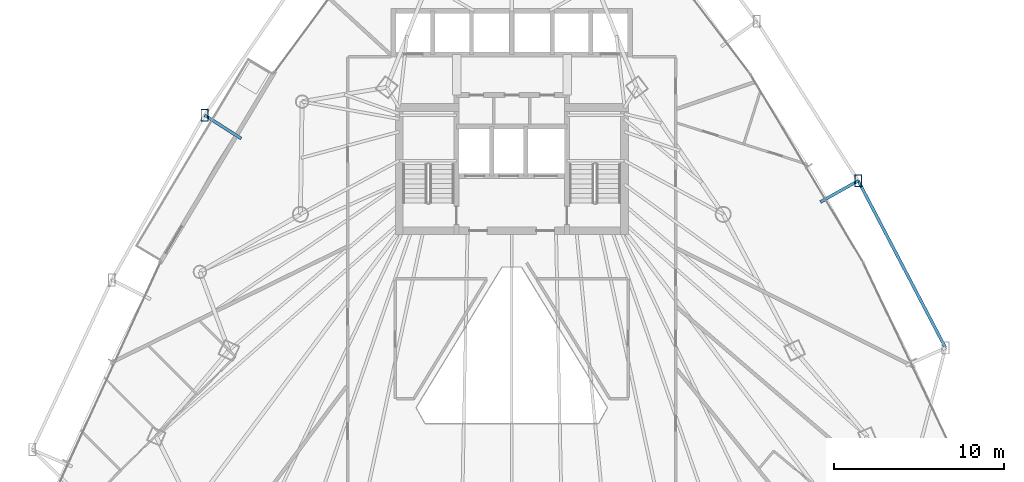
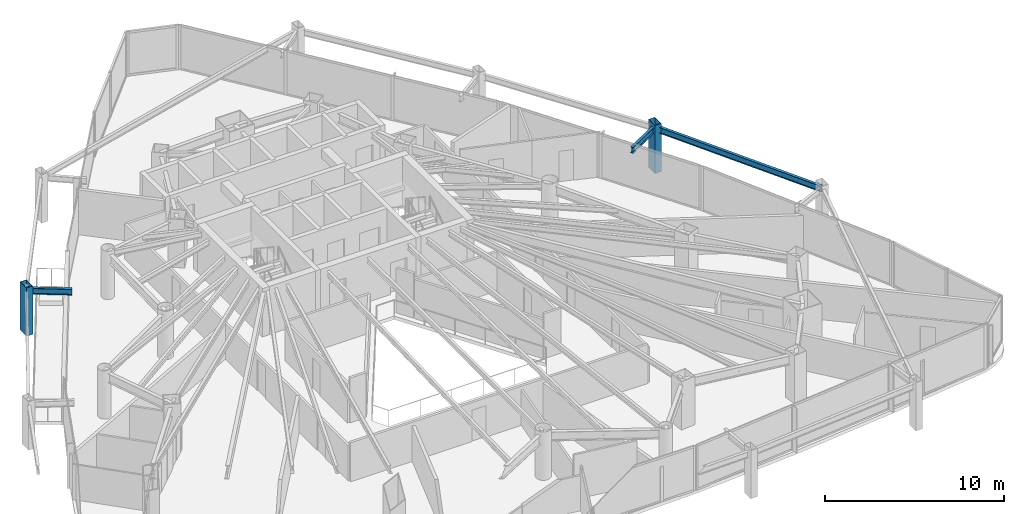
# One storey, part 20 of 35: 3 beams, 2 members.
"""IFC4 building model written with IfcOpenShell, lengths in metres."""

import ifcopenshell
import ifcopenshell.guid

model = None  # the IFC model being written
_history = None  # IfcOwnerHistory: only IFC2X3 demands one
_inside = {}  # id of a spatial element -> (the spatial element, [elements in it])
_under = {}  # id of a project, library or spatial element -> (it, [spatial elements below it])
_declared = {}  # id of a project -> (the project, [libraries it declares])
_typed = {}  # id of a type object -> (the type object, [elements of that type])
_made_of = {}  # id of a material, layer set ... -> (it, [elements and type objects made of it])


def new_model(schema):
    """Start an empty IFC model of exactly this schema.

    Asked for "IFC4X3", IfcOpenShell would pick the latest addendum, in which some entities
    have other attributes; the version numbers below select the first issue.
    IFC2X3 requires an IfcOwnerHistory on every rooted entity: one is made here for all.
    """
    global model, _history
    if schema == "IFC4X3":
        model = ifcopenshell.file(schema_version=(4, 3, 0, 0))
    else:
        model = ifcopenshell.file(schema=schema)
    _inside.clear()
    _under.clear()
    _declared.clear()
    _typed.clear()
    _made_of.clear()
    _history = None
    if model.schema == "IFC2X3":
        org = make("IfcOrganization", Name="unknown")
        user = make(
            "IfcPersonAndOrganization",
            ThePerson=make("IfcPerson", FamilyName="unknown"),
            TheOrganization=org,
        )
        app = make(
            "IfcApplication",
            ApplicationDeveloper=org,
            Version="unknown",
            ApplicationFullName="unknown",
            ApplicationIdentifier="unknown",
        )
        _history = make(
            "IfcOwnerHistory",
            OwningUser=user,
            OwningApplication=app,
            ChangeAction="ADDED",
            CreationDate=0,
        )
    return model


def make(cls, **values):
    """One entity of the class cls with the attributes given. An attribute that is None is left unset."""
    return model.create_entity(
        cls, **{name: value for name, value in values.items() if value is not None}
    )


def rooted(cls, **values):
    """An entity with a GlobalId (a new one), such as an element, a storey or a relation."""
    return make(cls, GlobalId=ifcopenshell.guid.new(), OwnerHistory=_history, **values)


def si_unit(unit_type, name, prefix=None):
    """IfcSIUnit, for example si_unit("LENGTHUNIT", "METRE", prefix="MILLI")."""
    return make("IfcSIUnit", UnitType=unit_type, Prefix=prefix, Name=name)


def assignment(units):
    """IfcUnitAssignment: the units of a project."""
    return None if units is None else make("IfcUnitAssignment", Units=units)


def point(xyz):
    """IfcCartesianPoint."""
    return None if xyz is None else make("IfcCartesianPoint", Coordinates=xyz)


def direction(xyz):
    """IfcDirection."""
    return None if xyz is None else make("IfcDirection", DirectionRatios=xyz)


def frame(location, z_axis=None, x_axis=None):
    """IfcAxis2Placement3D, a coordinate frame: its origin and axes. An axis left out is left unset."""
    return make(
        "IfcAxis2Placement3D",
        Location=point(location),
        Axis=direction(z_axis),
        RefDirection=direction(x_axis),
    )


def frame_2d(location, x_axis=None):
    """IfcAxis2Placement2D, a coordinate frame in the plane: its origin and x axis."""
    return make(
        "IfcAxis2Placement2D", Location=point(location), RefDirection=direction(x_axis)
    )


def origin():
    """The frame at (0, 0, 0) with its axes left unset."""
    return frame((0.0, 0.0, 0.0))


def origin_2d():
    """The frame at (0, 0) in the plane with its x axis left unset."""
    return frame_2d((0.0, 0.0))


def place(relative_to, where):
    """IfcLocalPlacement: puts the frame where relative to a parent placement (None: the world)."""
    return make(
        "IfcLocalPlacement", PlacementRelTo=relative_to, RelativePlacement=where
    )


def context(
    kind, dimensions, precision=None, world=None, true_north=None, identifier=None
):
    """IfcGeometricRepresentationContext, for example the 3D "Model" context."""
    return make(
        "IfcGeometricRepresentationContext",
        ContextIdentifier=identifier,
        ContextType=kind,
        CoordinateSpaceDimension=dimensions,
        Precision=precision,
        WorldCoordinateSystem=world,
        TrueNorth=true_north,
    )


def subcontext(parent, identifier, kind, view, scale=None):
    """IfcGeometricRepresentationSubContext, for example "Body" below "Model"."""
    return make(
        "IfcGeometricRepresentationSubContext",
        ContextIdentifier=identifier,
        ContextType=kind,
        ParentContext=parent,
        TargetScale=scale,
        TargetView=view,
    )


def project(units=None, contexts=None):
    """IfcProject with its units and contexts."""
    return rooted(
        "IfcProject",
        Name="project",
        RepresentationContexts=contexts,
        UnitsInContext=assignment(units),
    )


def spatial(cls, under=None, at=None, **own):
    """A site, building, storey or space (cls), placed at a placement, below another one or the project."""
    s = rooted(cls, ObjectPlacement=at, **own)
    if under is not None:
        _under.setdefault(under.id(), (under, []))[1].append(s)
    return s


def profile(cls, at=None, kind="AREA", **sizes):
    """A parametric profile (cls). Its sizes go by their IFC names, for example OverallWidth=200.0."""
    return make(cls, ProfileType=kind, Position=at, **sizes)


def hollow_rectangle(**sizes):
    """IfcRectangleHollowProfileDef."""
    return profile("IfcRectangleHollowProfileDef", **sizes)


def i_section(**sizes):
    """IfcIShapeProfileDef."""
    return profile("IfcIShapeProfileDef", **sizes)


def extrude(swept, where, along, depth):
    """IfcExtrudedAreaSolid: the profile swept, set in the frame where, extruded along a direction by depth."""
    return make(
        "IfcExtrudedAreaSolid",
        SweptArea=swept,
        Position=where,
        ExtrudedDirection=direction(along),
        Depth=depth,
    )


def shape(context_of_items, identifier, shape_type, items):
    """IfcShapeRepresentation: the items that make up one representation, for example the "Body"."""
    return make(
        "IfcShapeRepresentation",
        ContextOfItems=context_of_items,
        RepresentationIdentifier=identifier,
        RepresentationType=shape_type,
        Items=items,
    )


def material(Name=None, Category=None):
    """IfcMaterial."""
    return make("IfcMaterial", Name=Name, Category=Category)


def material_profile(
    of_material, cross_section, Name=None, Category=None, Priority=None
):
    """IfcMaterialProfile: a cross section and its material."""
    return make(
        "IfcMaterialProfile",
        Name=Name,
        Material=of_material,
        Profile=cross_section,
        Priority=Priority,
        Category=Category,
    )


def profile_set(profiles, Name=None, composite=None):
    """IfcMaterialProfileSet."""
    return make(
        "IfcMaterialProfileSet",
        Name=Name,
        MaterialProfiles=profiles,
        CompositeProfile=composite,
    )


def made_of(thing, what):
    """Note that an element or type object is made of a material, layer set ...; save() writes the relation."""
    if what is not None:
        _made_of.setdefault(what.id(), (what, []))[1].append(thing)
    return thing


def type_object(cls, material=None, **own):
    """A type object (cls), such as IfcWallType, which elements share."""
    return made_of(rooted(cls, **own), material)


def element(
    cls,
    number,
    at=None,
    inside=None,
    cuts=None,
    type_object=None,
    material=None,
    context=None,
    identifier="Body",
    shape_type=None,
    held_by="IfcProductDefinitionShape",
    body=None,
    shapes=None,
    **own,
):
    """One element of the class cls, such as IfcWall. Its Tag is "e" and its number.

    at: its placement. inside: the storey or other place that contains it. cuts: it is an
    opening in that element (IfcRelVoidsElement). A single representation is given by context,
    identifier, shape_type and body (its items); several are given by shapes. held_by: the class
    of the entity that holds the representations. save() writes the other relations.
    """
    e = rooted(cls, Tag="e%d" % number, ObjectPlacement=at, **own)
    if body is not None:
        shapes = [shape(context, identifier, shape_type, body)]
    if shapes is not None:
        e.Representation = make(held_by, Representations=shapes)
    if inside is not None:
        _inside.setdefault(inside.id(), (inside, []))[1].append(e)
    if cuts is not None:
        rooted(
            "IfcRelVoidsElement", RelatingBuildingElement=cuts, RelatedOpeningElement=e
        )
    if type_object is not None:
        _typed.setdefault(type_object.id(), (type_object, []))[1].append(e)
    return made_of(e, material)


def aggregate(whole, parts):
    """IfcRelAggregates: a whole, such as a stair, and the parts it consists of."""
    return rooted("IfcRelAggregates", RelatingObject=whole, RelatedObjects=parts)


def save(model, path):
    """Write the relations noted so far, then the file.

    IfcRelAggregates (storeys below a building ...), IfcRelContainedInSpatialStructure (elements
    in a storey), IfcRelDefinesByType, IfcRelAssociatesMaterial and IfcRelDeclares: one each for
    every whole, place, type object, material and project.
    """
    for whole, parts in _under.values():
        aggregate(whole, parts)
    for where, things in _inside.values():
        rooted(
            "IfcRelContainedInSpatialStructure",
            RelatedElements=things,
            RelatingStructure=where,
        )
    for kind, things in _typed.values():
        rooted("IfcRelDefinesByType", RelatedObjects=things, RelatingType=kind)
    for what, things in _made_of.values():
        rooted("IfcRelAssociatesMaterial", RelatedObjects=things, RelatingMaterial=what)
    for by, libraries in _declared.values():
        rooted("IfcRelDeclares", RelatingContext=by, RelatedDefinitions=libraries)
    model.write(path)


model = new_model("IFC4")

# Units and contexts
model_context = context("Model", 3, precision=1e-05, world=origin(), true_north=direction((0.0, 1.0)))
body_context = subcontext(model_context, "Body", "Model", "MODEL_VIEW")
ifc_project = project(units=[si_unit("LENGTHUNIT", "METRE"), si_unit("AREAUNIT", "SQUARE_METRE"), si_unit("VOLUMEUNIT", "CUBIC_METRE"), si_unit("PLANEANGLEUNIT", "RADIAN"), si_unit("MASSUNIT", "GRAM", prefix="KILO")], contexts=[model_context])

# Site, building, storey
site_placement = place(None, origin())
site = spatial("IfcSite", under=ifc_project, at=site_placement, CompositionType="ELEMENT")
building_placement = place(site_placement, origin())
building = spatial("IfcBuilding", under=site, at=building_placement, Name="Orvanel Arch Residences", CompositionType="ELEMENT")
storey_placement = place(building_placement, frame((0.0, 0.0, 36.800048828125)))
storey = spatial("IfcBuildingStorey", under=building, at=storey_placement, Name="L09", CompositionType="ELEMENT", Elevation=36.800048828125)

# Members
ifc_material_1 = material(Name="Structural steel AS/NZS 3678 Grade 350", Category="steel")
ifc_material_profile_1 = material_profile(ifc_material_1, hollow_rectangle(XDim=0.419921875, YDim=0.719970703125, WallThickness=0.02490234375, at=origin_2d()), Name="RHS720x420x25")
ifc_profile_set_1 = profile_set([ifc_material_profile_1], Name="Structural steel AS/NZS 3678 Grade 350")
member_type = type_object("IfcMemberType", Name="CH-720RHS-EXT", PredefinedType="CHORD", material=ifc_profile_set_1)
for number, where, z_axis, x_axis, name in (
    (1, (14.93994140625, 33.469970703125, 0.0), (0.0, 0.0, 1.0), (1.0, 0.0, 0.0), "L09 Outer Perimeter Frame Post 02"),
    (2, (53.37109375, 29.616943359375, 0.0), (0.0, 0.0, 1.0), (1.0, 0.0, 0.0), "L09 Outer Perimeter Frame Post 10"),
):
    element("IfcMember", number, at=place(storey_placement, frame(where, z_axis=z_axis, x_axis=x_axis)), inside=storey, type_object=member_type, Name=name, PredefinedType="CHORD", context=body_context, shape_type="SweptSolid", body=[
        extrude(hollow_rectangle(XDim=0.419921875, YDim=0.719970703125, WallThickness=0.02490234375, at=origin_2d()), origin(), (0.0, 0.0, 1.0), 3.300048828125),
    ])

# Beams
ifc_material_2 = material(Name="Structural steel AS/NZS 3679.1 Grade 300 (300 MPa)", Category="steel")
ifc_material_profile_2 = material_profile(ifc_material_2, i_section(OverallWidth=0.177978515625, OverallDepth=0.406005859375, WebThickness=0.0078125, FlangeThickness=0.0126953125, at=origin_2d()), Name="410UB59.7")
ifc_profile_set_2 = profile_set([ifc_material_profile_2], Name="Structural steel AS/NZS 3679.1 Grade 300 (300 MPa)")
beam_type = type_object("IfcBeamType", Name="OB-410UB-EXT", PredefinedType="SPANDREL", material=ifc_profile_set_2)
beam_1_placement = place(storey_placement, frame((17.090087890625, 32.097900390625, 2.85693359375), z_axis=(-0.842986856893, 0.537934158708, 0.0), x_axis=(-0.537934158708, -0.842986856893, 0.0)))
element("IfcBeam", 3, at=beam_1_placement, inside=storey, type_object=beam_type, Name="L09 Outer Frame Radial Tie Beam 02", PredefinedType="SPANDREL", context=body_context, shape_type="SweptSolid", body=[
    extrude(i_section(OverallWidth=0.177978515625, OverallDepth=0.406005859375, WebThickness=0.0078125, FlangeThickness=0.0126953125, at=origin_2d()), origin(), (0.0, 0.0, 1.0), 2.550537109375),
])
beam_2_placement = place(storey_placement, frame((58.501953125, 19.7919921875, 2.85693359375), z_axis=(-0.46290621952, 0.886407260761, 0.0), x_axis=(-0.886407260761, -0.46290621952, 0.0)))
element("IfcBeam", 4, at=beam_2_placement, inside=storey, type_object=beam_type, Name="L09 Outer Perimeter Floor Ring Beam 09", PredefinedType="SPANDREL", context=body_context, shape_type="SweptSolid", body=[
    extrude(i_section(OverallWidth=0.177978515625, OverallDepth=0.406005859375, WebThickness=0.0078125, FlangeThickness=0.0126953125, at=origin_2d()), origin(), (0.0, 0.0, 1.0), 11.083984375),
])
beam_3_placement = place(storey_placement, frame((51.14892578125, 28.365966796875, 2.85693359375), z_axis=(0.871406736721, 0.490561208411, 0.0), x_axis=(-0.490561208411, 0.871406736721, 0.0)))
element("IfcBeam", 5, at=beam_3_placement, inside=storey, type_object=beam_type, Name="L09 Outer Frame Radial Tie Beam 10", PredefinedType="SPANDREL", context=body_context, shape_type="SweptSolid", body=[
    extrude(i_section(OverallWidth=0.177978515625, OverallDepth=0.406005859375, WebThickness=0.0078125, FlangeThickness=0.0126953125, at=origin_2d()), origin(), (0.0, 0.0, 1.0), 2.550048828125),
])

save(model, "model.ifc")
